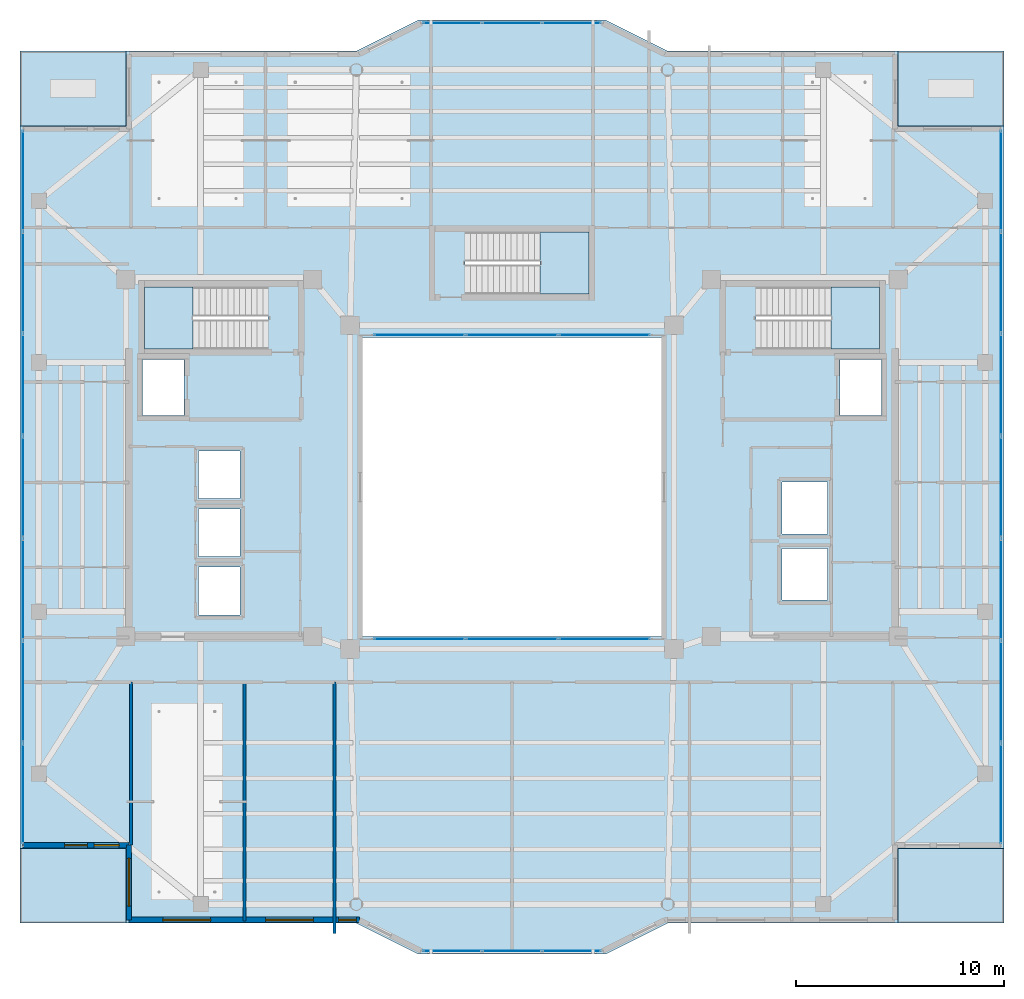
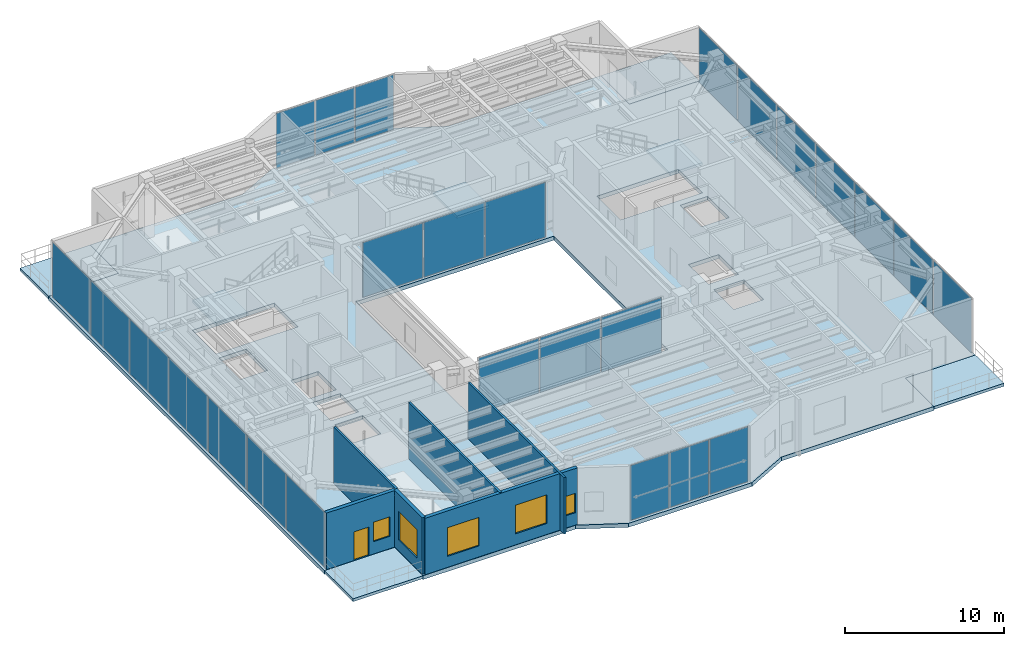
# One storey, part 22 of 34: 26 plates, 8 slabs, 6 walls, 5 windows, 1 door, 6 openings, 9 elements without a shape of their own.
"""IFC4 building model written with IfcOpenShell, lengths in metres."""

from ifc_helpers import new_model, si_unit, direction, frame, frame_2d, origin, origin_2d, place, context, subcontext, project, spatial, polyline, rectangle, outline, extrude, material, layer, layer_set, type_object, element, fill, aggregate, save


model = new_model("IFC4")

# Units and contexts
model_context = context("Model", 3, precision=1e-05, world=origin(), true_north=direction((0.0, 1.0)))
body_context = subcontext(model_context, "Body", "Model", "MODEL_VIEW")
ifc_project = project(units=[si_unit("LENGTHUNIT", "METRE"), si_unit("AREAUNIT", "SQUARE_METRE"), si_unit("VOLUMEUNIT", "CUBIC_METRE"), si_unit("PLANEANGLEUNIT", "RADIAN"), si_unit("MASSUNIT", "GRAM", prefix="KILO")], contexts=[model_context])

# Site, building, storey
site_placement = place(None, origin())
site = spatial("IfcSite", under=ifc_project, at=site_placement, CompositionType="ELEMENT")
building_placement = place(site_placement, origin())
building = spatial("IfcBuilding", under=site, at=building_placement, Name="Tarnavaz Court Tower", CompositionType="ELEMENT")
storey_placement = place(building_placement, frame((0.0, 0.0, 231.75)))
storey = spatial("IfcBuildingStorey", under=building, at=storey_placement, Name="L63", CompositionType="ELEMENT", Elevation=231.75)

# Curtain wall, plates
ifc_material_1 = material(Name="Anodised Aluminium 6063-T6 and Solar Low-E Glazing", Category="aluminium")
ifc_layer_1 = layer(ifc_material_1, 0.139892578125)
ifc_layer_set_1 = layer_set([ifc_layer_1], Name="Anodised Aluminium 6063-T6 and Solar Low-E Glazing")
curtain_wall_type_1 = type_object("IfcCurtainWallType", Name="CW-SYS-04", PredefinedType="NOTDEFINED", material=ifc_layer_set_1)
curtain_wall_1_placement = place(storey_placement, origin())
curtain_wall_1 = element("IfcCurtainWall", 1, at=curtain_wall_1_placement, inside=storey, type_object=curtain_wall_type_1, Name="L63 Badgir Courtyard Curtain Wall S", PredefinedType="NOTDEFINED")
ifc_material_2 = material(Name="Double-Glazed Solar Low-E Glass", Category="glass")
ifc_layer_2 = layer(ifc_material_2, 0.028076171875)
ifc_layer_set_2 = layer_set([ifc_layer_2], Name="Double-Glazed Solar Low-E Glass")
plate_type = type_object("IfcPlateType", Name="CW-PAN-GLZ28", PredefinedType="CURTAIN_PANEL", material=ifc_layer_set_2)
plate_1_placement = place(storey_placement, frame((-4.461181640625, -7.320068359375, 0.06494140625), z_axis=(0.0, 0.0, 1.0), x_axis=(1.0, 0.0, 0.0)))
plate_1 = element("IfcPlate", 2, at=plate_1_placement, type_object=plate_type, Name="CW panel 1.1", PredefinedType="CURTAIN_PANEL", context=body_context, shape_type="SweptSolid", body=[
    extrude(rectangle(XDim=4.367431640625, YDim=0.028076171875, at=origin_2d()), origin(), (0.0, 0.0, 1.0), 4.219970703125),
])
plate_2_placement = place(storey_placement, frame((0.0, -7.320068359375, 0.06494140625), z_axis=(0.0, 0.0, 1.0), x_axis=(1.0, 0.0, 0.0)))
plate_2 = element("IfcPlate", 3, at=plate_2_placement, type_object=plate_type, Name="CW panel 2.1", PredefinedType="CURTAIN_PANEL", context=body_context, shape_type="SweptSolid", body=[
    extrude(rectangle(XDim=4.405029296875, YDim=0.028076171875, at=origin_2d()), origin(), (0.0, 0.0, 1.0), 4.219970703125),
])
plate_3_placement = place(storey_placement, frame((4.461181640625, -7.320068359375, 0.06494140625), z_axis=(0.0, 0.0, 1.0), x_axis=(1.0, 0.0, 0.0)))
plate_3 = element("IfcPlate", 4, at=plate_3_placement, type_object=plate_type, Name="CW panel 3.1", PredefinedType="CURTAIN_PANEL", context=body_context, shape_type="SweptSolid", body=[
    extrude(rectangle(XDim=4.367431640625, YDim=0.028076171875, at=origin_2d()), origin(), (0.0, 0.0, 1.0), 4.219970703125),
])
aggregate(curtain_wall_1, [plate_1, plate_2, plate_3])

curtain_wall_2_placement = place(storey_placement, origin())
curtain_wall_2 = element("IfcCurtainWall", 5, at=curtain_wall_2_placement, inside=storey, type_object=curtain_wall_type_1, Name="L63 Badgir Courtyard Curtain Wall N", PredefinedType="NOTDEFINED")
plate_4_placement = place(storey_placement, frame((4.461181640625, 7.320068359375, 0.06494140625), z_axis=(0.0, 0.0, 1.0), x_axis=(-1.0, 0.0, 0.0)))
plate_4 = element("IfcPlate", 6, at=plate_4_placement, type_object=plate_type, Name="CW panel 1.1", PredefinedType="CURTAIN_PANEL", context=body_context, shape_type="SweptSolid", body=[
    extrude(rectangle(XDim=4.367431640625, YDim=0.028076171875, at=origin_2d()), origin(), (0.0, 0.0, 1.0), 4.219970703125),
])
plate_5_placement = place(storey_placement, frame((0.0, 7.320068359375, 0.06494140625), z_axis=(0.0, 0.0, 1.0), x_axis=(-1.0, 0.0, 0.0)))
plate_5 = element("IfcPlate", 7, at=plate_5_placement, type_object=plate_type, Name="CW panel 2.1", PredefinedType="CURTAIN_PANEL", context=body_context, shape_type="SweptSolid", body=[
    extrude(rectangle(XDim=4.405029296875, YDim=0.028076171875, at=origin_2d()), origin(), (0.0, 0.0, 1.0), 4.219970703125),
])
plate_6_placement = place(storey_placement, frame((-4.461181640625, 7.320068359375, 0.06494140625), z_axis=(0.0, 0.0, 1.0), x_axis=(-1.0, 0.0, 0.0)))
plate_6 = element("IfcPlate", 8, at=plate_6_placement, type_object=plate_type, Name="CW panel 3.1", PredefinedType="CURTAIN_PANEL", context=body_context, shape_type="SweptSolid", body=[
    extrude(rectangle(XDim=4.367431640625, YDim=0.028076171875, at=origin_2d()), origin(), (0.0, 0.0, 1.0), 4.219970703125),
])
aggregate(curtain_wall_2, [plate_4, plate_5, plate_6])

ifc_layer_3 = layer(ifc_material_1, 0.199951171875)
ifc_layer_set_3 = layer_set([ifc_layer_3], Name="Anodised Aluminium 6063-T6 and Solar Low-E Glazing")
curtain_wall_type_2 = type_object("IfcCurtainWallType", Name="CW-SYS-05", PredefinedType="NOTDEFINED", material=ifc_layer_set_3)
curtain_wall_3_placement = place(storey_placement, origin())
curtain_wall_3 = element("IfcCurtainWall", 9, at=curtain_wall_3_placement, inside=storey, type_object=curtain_wall_type_2, Name="L63 Sky-Portal Curtain Wall 2", PredefinedType="NOTDEFINED")
plate_7_placement = place(storey_placement, frame((-23.550048828125, -14.764404296875, 0.06494140625), z_axis=(0.0, 0.0, 1.0), x_axis=(0.0, 1.0, 0.0)))
plate_7 = element("IfcPlate", 10, at=plate_7_placement, type_object=plate_type, Name="CW panel 1.1", PredefinedType="CURTAIN_PANEL", context=body_context, shape_type="SweptSolid", body=[
    extrude(rectangle(XDim=4.801025390625, YDim=0.028076171875, at=origin_2d()), origin(), (0.0, 0.0, 1.0), 4.219970703125),
])
plate_8_placement = place(storey_placement, frame((-23.550048828125, -9.857177734375, 0.06494140625), z_axis=(0.0, 0.0, 1.0), x_axis=(0.0, 1.0, 0.0)))
plate_8 = element("IfcPlate", 11, at=plate_8_placement, type_object=plate_type, Name="CW panel 2.1", PredefinedType="CURTAIN_PANEL", context=body_context, shape_type="SweptSolid", body=[
    extrude(rectangle(XDim=4.843505859375, YDim=0.028076171875, at=origin_2d()), origin(), (0.0, 0.0, 1.0), 4.219970703125),
])
plate_9_placement = place(storey_placement, frame((-23.550048828125, -4.928466796875, 0.06494140625), z_axis=(0.0, 0.0, 1.0), x_axis=(0.0, 1.0, 0.0)))
plate_9 = element("IfcPlate", 12, at=plate_9_placement, type_object=plate_type, Name="CW panel 3.1", PredefinedType="CURTAIN_PANEL", context=body_context, shape_type="SweptSolid", body=[
    extrude(rectangle(XDim=4.843505859375, YDim=0.028076171875, at=origin_2d()), origin(), (0.0, 0.0, 1.0), 4.219970703125),
])
plate_10_placement = place(storey_placement, frame((-23.550048828125, 0.0, 0.06494140625), z_axis=(0.0, 0.0, 1.0), x_axis=(0.0, 1.0, 0.0)))
plate_10 = element("IfcPlate", 13, at=plate_10_placement, type_object=plate_type, Name="CW panel 4.1", PredefinedType="CURTAIN_PANEL", context=body_context, shape_type="SweptSolid", body=[
    extrude(rectangle(XDim=4.843505859375, YDim=0.028076171875, at=origin_2d()), origin(), (0.0, 0.0, 1.0), 4.219970703125),
])
plate_11_placement = place(storey_placement, frame((-23.550048828125, 4.928466796875, 0.06494140625), z_axis=(0.0, 0.0, 1.0), x_axis=(0.0, 1.0, 0.0)))
plate_11 = element("IfcPlate", 14, at=plate_11_placement, type_object=plate_type, Name="CW panel 5.1", PredefinedType="CURTAIN_PANEL", context=body_context, shape_type="SweptSolid", body=[
    extrude(rectangle(XDim=4.843505859375, YDim=0.028076171875, at=origin_2d()), origin(), (0.0, 0.0, 1.0), 4.219970703125),
])
plate_12_placement = place(storey_placement, frame((-23.550048828125, 9.857177734375, 0.06494140625), z_axis=(0.0, 0.0, 1.0), x_axis=(0.0, 1.0, 0.0)))
plate_12 = element("IfcPlate", 15, at=plate_12_placement, type_object=plate_type, Name="CW panel 6.1", PredefinedType="CURTAIN_PANEL", context=body_context, shape_type="SweptSolid", body=[
    extrude(rectangle(XDim=4.843505859375, YDim=0.028076171875, at=origin_2d()), origin(), (0.0, 0.0, 1.0), 4.219970703125),
])
plate_13_placement = place(storey_placement, frame((-23.550048828125, 14.764404296875, 0.06494140625), z_axis=(0.0, 0.0, 1.0), x_axis=(0.0, 1.0, 0.0)))
plate_13 = element("IfcPlate", 16, at=plate_13_placement, type_object=plate_type, Name="CW panel 7.1", PredefinedType="CURTAIN_PANEL", context=body_context, shape_type="SweptSolid", body=[
    extrude(rectangle(XDim=4.801025390625, YDim=0.028076171875, at=origin_2d()), origin(), (0.0, 0.0, 1.0), 4.219970703125),
])
aggregate(curtain_wall_3, [plate_7, plate_8, plate_9, plate_10, plate_11, plate_12, plate_13])

ifc_layer_4 = layer(ifc_material_1, 0.159912109375)
ifc_layer_set_4 = layer_set([ifc_layer_4], Name="Anodised Aluminium 6063-T6 and Solar Low-E Glazing")
curtain_wall_type_3 = type_object("IfcCurtainWallType", Name="CW-SYS-03", PredefinedType="NOTDEFINED", material=ifc_layer_set_4)
curtain_wall_4_placement = place(storey_placement, origin())
curtain_wall_4 = element("IfcCurtainWall", 17, at=curtain_wall_4_placement, inside=storey, type_object=curtain_wall_type_3, Name="L63 Iwan Prow Curtain Wall 7", PredefinedType="NOTDEFINED")
plate_14_placement = place(storey_placement, frame((-2.88134765625, 22.35009765625, 0.06494140625), z_axis=(0.0, 0.0, 1.0), x_axis=(1.0, 0.0, 0.0)))
plate_14 = element("IfcPlate", 18, at=plate_14_placement, type_object=plate_type, Name="CW panel 1.1", PredefinedType="CURTAIN_PANEL", context=body_context, shape_type="SweptSolid", body=[
    extrude(rectangle(XDim=2.78759765625, YDim=0.028076171875, at=origin_2d()), origin(), (0.0, 0.0, 1.0), 4.219970703125),
])
plate_15_placement = place(storey_placement, frame((0.0, 22.35009765625, 0.06494140625), z_axis=(0.0, 0.0, 1.0), x_axis=(1.0, 0.0, 0.0)))
plate_15 = element("IfcPlate", 19, at=plate_15_placement, type_object=plate_type, Name="CW panel 2.1", PredefinedType="CURTAIN_PANEL", context=body_context, shape_type="SweptSolid", body=[
    extrude(rectangle(XDim=2.824951171875, YDim=0.028076171875, at=origin_2d()), origin(), (0.0, 0.0, 1.0), 4.219970703125),
])
plate_16_placement = place(storey_placement, frame((2.88134765625, 22.35009765625, 0.06494140625), z_axis=(0.0, 0.0, 1.0), x_axis=(1.0, 0.0, 0.0)))
plate_16 = element("IfcPlate", 20, at=plate_16_placement, type_object=plate_type, Name="CW panel 3.1", PredefinedType="CURTAIN_PANEL", context=body_context, shape_type="SweptSolid", body=[
    extrude(rectangle(XDim=2.78759765625, YDim=0.028076171875, at=origin_2d()), origin(), (0.0, 0.0, 1.0), 4.219970703125),
])
aggregate(curtain_wall_4, [plate_14, plate_15, plate_16])

curtain_wall_5_placement = place(storey_placement, origin())
curtain_wall_5 = element("IfcCurtainWall", 21, at=curtain_wall_5_placement, inside=storey, type_object=curtain_wall_type_2, Name="L63 Sky-Portal Curtain Wall 12", PredefinedType="NOTDEFINED")
plate_17_placement = place(storey_placement, frame((23.550048828125, 14.764404296875, 0.06494140625), z_axis=(0.0, 0.0, 1.0), x_axis=(0.0, -1.0, 0.0)))
plate_17 = element("IfcPlate", 22, at=plate_17_placement, type_object=plate_type, Name="CW panel 1.1", PredefinedType="CURTAIN_PANEL", context=body_context, shape_type="SweptSolid", body=[
    extrude(rectangle(XDim=4.801025390625, YDim=0.028076171875, at=origin_2d()), origin(), (0.0, 0.0, 1.0), 4.219970703125),
])
plate_18_placement = place(storey_placement, frame((23.550048828125, 9.857177734375, 0.06494140625), z_axis=(0.0, 0.0, 1.0), x_axis=(0.0, -1.0, 0.0)))
plate_18 = element("IfcPlate", 23, at=plate_18_placement, type_object=plate_type, Name="CW panel 2.1", PredefinedType="CURTAIN_PANEL", context=body_context, shape_type="SweptSolid", body=[
    extrude(rectangle(XDim=4.843505859375, YDim=0.028076171875, at=origin_2d()), origin(), (0.0, 0.0, 1.0), 4.219970703125),
])
plate_19_placement = place(storey_placement, frame((23.550048828125, 4.928466796875, 0.06494140625), z_axis=(0.0, 0.0, 1.0), x_axis=(0.0, -1.0, 0.0)))
plate_19 = element("IfcPlate", 24, at=plate_19_placement, type_object=plate_type, Name="CW panel 3.1", PredefinedType="CURTAIN_PANEL", context=body_context, shape_type="SweptSolid", body=[
    extrude(rectangle(XDim=4.843505859375, YDim=0.028076171875, at=origin_2d()), origin(), (0.0, 0.0, 1.0), 4.219970703125),
])
plate_20_placement = place(storey_placement, frame((23.550048828125, 0.0, 0.06494140625), z_axis=(0.0, 0.0, 1.0), x_axis=(0.0, -1.0, 0.0)))
plate_20 = element("IfcPlate", 25, at=plate_20_placement, type_object=plate_type, Name="CW panel 4.1", PredefinedType="CURTAIN_PANEL", context=body_context, shape_type="SweptSolid", body=[
    extrude(rectangle(XDim=4.843505859375, YDim=0.028076171875, at=origin_2d()), origin(), (0.0, 0.0, 1.0), 4.219970703125),
])
plate_21_placement = place(storey_placement, frame((23.550048828125, -4.928466796875, 0.06494140625), z_axis=(0.0, 0.0, 1.0), x_axis=(0.0, -1.0, 0.0)))
plate_21 = element("IfcPlate", 26, at=plate_21_placement, type_object=plate_type, Name="CW panel 5.1", PredefinedType="CURTAIN_PANEL", context=body_context, shape_type="SweptSolid", body=[
    extrude(rectangle(XDim=4.843505859375, YDim=0.028076171875, at=origin_2d()), origin(), (0.0, 0.0, 1.0), 4.219970703125),
])
plate_22_placement = place(storey_placement, frame((23.550048828125, -9.857177734375, 0.06494140625), z_axis=(0.0, 0.0, 1.0), x_axis=(0.0, -1.0, 0.0)))
plate_22 = element("IfcPlate", 27, at=plate_22_placement, type_object=plate_type, Name="CW panel 6.1", PredefinedType="CURTAIN_PANEL", context=body_context, shape_type="SweptSolid", body=[
    extrude(rectangle(XDim=4.843505859375, YDim=0.028076171875, at=origin_2d()), origin(), (0.0, 0.0, 1.0), 4.219970703125),
])
plate_23_placement = place(storey_placement, frame((23.550048828125, -14.764404296875, 0.06494140625), z_axis=(0.0, 0.0, 1.0), x_axis=(0.0, -1.0, 0.0)))
plate_23 = element("IfcPlate", 28, at=plate_23_placement, type_object=plate_type, Name="CW panel 7.1", PredefinedType="CURTAIN_PANEL", context=body_context, shape_type="SweptSolid", body=[
    extrude(rectangle(XDim=4.801025390625, YDim=0.028076171875, at=origin_2d()), origin(), (0.0, 0.0, 1.0), 4.219970703125),
])
aggregate(curtain_wall_5, [plate_17, plate_18, plate_19, plate_20, plate_21, plate_22, plate_23])

curtain_wall_6_placement = place(storey_placement, origin())
curtain_wall_6 = element("IfcCurtainWall", 29, at=curtain_wall_6_placement, inside=storey, type_object=curtain_wall_type_3, Name="L63 Iwan Prow Curtain Wall 17", PredefinedType="NOTDEFINED")
plate_24_placement = place(storey_placement, frame((2.88134765625, -22.35009765625, 0.06494140625), z_axis=(0.0, 0.0, 1.0), x_axis=(-1.0, 0.0, 0.0)))
plate_24 = element("IfcPlate", 30, at=plate_24_placement, type_object=plate_type, Name="CW panel 1.1", PredefinedType="CURTAIN_PANEL", context=body_context, shape_type="SweptSolid", body=[
    extrude(rectangle(XDim=2.78759765625, YDim=0.028076171875, at=origin_2d()), origin(), (0.0, 0.0, 1.0), 4.219970703125),
])
plate_25_placement = place(storey_placement, frame((0.0, -22.35009765625, 0.06494140625), z_axis=(0.0, 0.0, 1.0), x_axis=(-1.0, 0.0, 0.0)))
plate_25 = element("IfcPlate", 31, at=plate_25_placement, type_object=plate_type, Name="CW panel 2.1", PredefinedType="CURTAIN_PANEL", context=body_context, shape_type="SweptSolid", body=[
    extrude(rectangle(XDim=2.824951171875, YDim=0.028076171875, at=origin_2d()), origin(), (0.0, 0.0, 1.0), 4.219970703125),
])
plate_26_placement = place(storey_placement, frame((-2.88134765625, -22.35009765625, 0.06494140625), z_axis=(0.0, 0.0, 1.0), x_axis=(-1.0, 0.0, 0.0)))
plate_26 = element("IfcPlate", 32, at=plate_26_placement, type_object=plate_type, Name="CW panel 3.1", PredefinedType="CURTAIN_PANEL", context=body_context, shape_type="SweptSolid", body=[
    extrude(rectangle(XDim=2.78759765625, YDim=0.028076171875, at=origin_2d()), origin(), (0.0, 0.0, 1.0), 4.219970703125),
])
aggregate(curtain_wall_6, [plate_24, plate_25, plate_26])

# Stair, slab
ifc_material_3 = material(Name="Concrete C40/50", Category="concrete")
stair_type = type_object("IfcStairType", Name="ST-TWR-28R", PredefinedType="HALF_TURN_STAIR", material=ifc_material_3)
stair_1_placement = place(storey_placement, origin())
stair_1 = element("IfcStair", 33, at=stair_1_placement, inside=storey, type_object=stair_type, Name="L63 West Core Pressurized Exit Stair ST-W1", PredefinedType="HALF_TURN_STAIR")
ifc_layer_5 = layer(ifc_material_3, 0.199951171875)
ifc_layer_set_5 = layer_set([ifc_layer_5], Name="Concrete C40/50")
slab_type_1 = type_object("IfcSlabType", Name="SL-LAND-200", PredefinedType="LANDING", material=ifc_layer_set_5)
slab_1_placement = place(storey_placement, frame((0.0, 0.0, 2.125)))
slab_1 = element("IfcSlab", 34, at=slab_1_placement, type_object=slab_type_1, Name="ST-W1 landing 1", PredefinedType="LANDING", context=body_context, shape_type="SweptSolid", body=[
    extrude(outline(polyline([(-15.360107421875, 9.639892578125), (-17.699951171875, 9.639892578125), (-17.699951171875, 6.64990234375), (-15.360107421875, 6.64990234375), (-15.360107421875, 9.639892578125)])), origin(), (0.0, 0.0, 1.0), 0.199951171875),
])
aggregate(stair_1, [slab_1])

stair_2_placement = place(storey_placement, origin())
stair_2 = element("IfcStair", 35, at=stair_2_placement, inside=storey, type_object=stair_type, Name="L63 East Core Pressurized Exit Stair ST-E1", PredefinedType="HALF_TURN_STAIR")
slab_2_placement = place(storey_placement, frame((0.0, 0.0, 2.125)))
slab_2 = element("IfcSlab", 36, at=slab_2_placement, type_object=slab_type_1, Name="ST-E1 landing 1", PredefinedType="LANDING", context=body_context, shape_type="SweptSolid", body=[
    extrude(outline(polyline([(15.360107421875, 6.64990234375), (17.699951171875, 6.64990234375), (17.699951171875, 9.639892578125), (15.360107421875, 9.639892578125), (15.360107421875, 6.64990234375)])), origin(), (0.0, 0.0, 1.0), 0.199951171875),
])
aggregate(stair_2, [slab_2])

stair_3_placement = place(storey_placement, origin())
stair_3 = element("IfcStair", 37, at=stair_3_placement, inside=storey, type_object=stair_type, Name="L63 North Ring Pressurized Exit Stair ST-N1", PredefinedType="HALF_TURN_STAIR")
slab_3_placement = place(storey_placement, frame((0.0, 0.0, 2.125)))
slab_3 = element("IfcSlab", 38, at=slab_3_placement, type_object=slab_type_1, Name="ST-N1 landing 1", PredefinedType="LANDING", context=body_context, shape_type="SweptSolid", body=[
    extrude(outline(polyline([(1.360107421875, 9.300048828125), (3.699951171875, 9.300048828125), (3.699951171875, 12.2900390625), (1.360107421875, 12.2900390625), (1.360107421875, 9.300048828125)])), origin(), (0.0, 0.0, 1.0), 0.199951171875),
])
aggregate(stair_3, [slab_3])

# Slabs
ifc_layer_6 = layer(ifc_material_3, 0.300048828125)
ifc_layer_set_6 = layer_set([ifc_layer_6], Name="Concrete C40/50")
slab_type_2 = type_object("IfcSlabType", Name="SL-POD-300", PredefinedType="FLOOR", material=ifc_layer_set_6)
slab_4_placement = place(storey_placement, frame((0.0, 0.0, -0.300048828125)))
element("IfcSlab", 39, at=slab_4_placement, inside=storey, type_object=slab_type_2, Name="L63 Structural Floor Slab", PredefinedType="FLOOR", context=body_context, shape_type="SweptSolid", body=[
    extrude(outline(polyline([(-18.60009765625, -21.0), (-7.5, -21.0), (-4.5, -22.5), (4.5, -22.5), (7.5, -21.0), (18.60009765625, -21.0), (18.60009765625, -17.39990234375), (23.699951171875, -17.39990234375), (23.699951171875, 17.39990234375), (18.60009765625, 17.39990234375), (18.60009765625, 21.0), (7.5, 21.0), (4.5, 22.5), (-4.5, 22.5), (-7.5, 21.0), (-18.60009765625, 21.0), (-18.60009765625, 17.39990234375), (-23.699951171875, 17.39990234375), (-23.699951171875, -17.39990234375), (-18.60009765625, -17.39990234375), (-18.60009765625, -21.0)]), holes=[polyline([(-7.199951171875, -7.199951171875), (7.199951171875, -7.199951171875), (7.199951171875, 7.199951171875), (-7.199951171875, 7.199951171875), (-7.199951171875, -7.199951171875)]), polyline([(-11.7451171875, 9.639892578125), (-17.699951171875, 9.639892578125), (-17.699951171875, 6.64990234375), (-11.7451171875, 6.64990234375), (-11.7451171875, 9.639892578125)]), polyline([(11.7451171875, 6.64990234375), (17.699951171875, 6.64990234375), (17.699951171875, 9.639892578125), (11.7451171875, 9.639892578125), (11.7451171875, 6.64990234375)]), polyline([(-2.2548828125, 9.300048828125), (3.699951171875, 9.300048828125), (3.699951171875, 12.2900390625), (-2.2548828125, 12.2900390625), (-2.2548828125, 9.300048828125)]), polyline([(-17.800048828125, 3.449951171875), (-15.800048828125, 3.449951171875), (-15.800048828125, 6.14990234375), (-17.800048828125, 6.14990234375), (-17.800048828125, 3.449951171875)]), polyline([(-15.10009765625, -6.14990234375), (-13.10009765625, -6.14990234375), (-13.10009765625, -3.85009765625), (-15.10009765625, -3.85009765625), (-15.10009765625, -6.14990234375)]), polyline([(-15.10009765625, -3.35009765625), (-13.10009765625, -3.35009765625), (-13.10009765625, -1.050048828125), (-15.10009765625, -1.050048828125), (-15.10009765625, -3.35009765625)]), polyline([(-15.10009765625, -0.550048828125), (-13.10009765625, -0.550048828125), (-13.10009765625, 1.75), (-15.10009765625, 1.75), (-15.10009765625, -0.550048828125)]), polyline([(15.800048828125, 3.449951171875), (17.800048828125, 3.449951171875), (17.800048828125, 6.14990234375), (15.800048828125, 6.14990234375), (15.800048828125, 3.449951171875)]), polyline([(13.0, -5.449951171875), (15.199951171875, -5.449951171875), (15.199951171875, -2.949951171875), (13.0, -2.949951171875), (13.0, -5.449951171875)]), polyline([(13.0, -2.25), (15.199951171875, -2.25), (15.199951171875, 0.25), (13.0, 0.25), (13.0, -2.25)])]), origin(), (0.0, 0.0, 1.0), 0.300048828125),
])
ifc_layer_7 = layer(ifc_material_3, 0.219970703125)
ifc_layer_set_7 = layer_set([ifc_layer_7], Name="Concrete C40/50")
slab_type_3 = type_object("IfcSlabType", Name="SL-TERR-220", PredefinedType="FLOOR", material=ifc_layer_set_7)
slab_5_placement = place(storey_placement, frame((0.0, 0.0, -0.219970703125)))
element("IfcSlab", 40, at=slab_5_placement, inside=storey, type_object=slab_type_3, Name="L63 NE Planted Sky Terrace", PredefinedType="FLOOR", context=body_context, shape_type="SweptSolid", body=[
    extrude(outline(polyline([(18.60009765625, 17.39990234375), (23.699951171875, 17.39990234375), (23.699951171875, 21.0), (18.60009765625, 21.0), (18.60009765625, 17.39990234375)])), origin(), (0.0, 0.0, 1.0), 0.219970703125),
])
slab_6_placement = place(storey_placement, frame((0.0, 0.0, -0.219970703125)))
element("IfcSlab", 41, at=slab_6_placement, inside=storey, type_object=slab_type_3, Name="L63 NW Planted Sky Terrace", PredefinedType="FLOOR", context=body_context, shape_type="SweptSolid", body=[
    extrude(outline(polyline([(-23.699951171875, 17.39990234375), (-18.60009765625, 17.39990234375), (-18.60009765625, 21.0), (-23.699951171875, 21.0), (-23.699951171875, 17.39990234375)])), origin(), (0.0, 0.0, 1.0), 0.219970703125),
])
slab_7_placement = place(storey_placement, frame((0.0, 0.0, -0.219970703125)))
element("IfcSlab", 42, at=slab_7_placement, inside=storey, type_object=slab_type_3, Name="L63 SE Planted Sky Terrace", PredefinedType="FLOOR", context=body_context, shape_type="SweptSolid", body=[
    extrude(outline(polyline([(18.60009765625, -21.0), (23.699951171875, -21.0), (23.699951171875, -17.39990234375), (18.60009765625, -17.39990234375), (18.60009765625, -21.0)])), origin(), (0.0, 0.0, 1.0), 0.219970703125),
])
slab_8_placement = place(storey_placement, frame((0.0, 0.0, -0.219970703125)))
element("IfcSlab", 43, at=slab_8_placement, inside=storey, type_object=slab_type_3, Name="L63 SW Planted Sky Terrace", PredefinedType="FLOOR", context=body_context, shape_type="SweptSolid", body=[
    extrude(outline(polyline([(-23.699951171875, -21.0), (-18.60009765625, -21.0), (-18.60009765625, -17.39990234375), (-23.699951171875, -17.39990234375), (-23.699951171875, -21.0)])), origin(), (0.0, 0.0, 1.0), 0.219970703125),
])

# Wall, openings, door, window
ifc_material_4 = material(Name="Precast Concrete C40/50", Category="concrete")
ifc_layer_8 = layer(ifc_material_4, 0.260009765625)
ifc_layer_set_8 = layer_set([ifc_layer_8], Name="Precast Concrete C40/50")
wall_type_1 = type_object("IfcWallType", Name="WL-EXT-260", PredefinedType="SOLIDWALL", material=ifc_layer_set_8)
wall_1_placement = place(storey_placement, frame((-18.449951171875, -17.25, 0.0), z_axis=(0.0, 0.0, 1.0), x_axis=(-1.0, 0.0, 0.0)))
wall_1 = element("IfcWall", 44, at=wall_1_placement, inside=storey, type_object=wall_type_1, Name="L63 Exterior Terracotta Facade Wall 01", PredefinedType="SOLIDWALL", context=body_context, shape_type="SweptSolid", body=[
    extrude(rectangle(XDim=5.10009765625, YDim=0.260009765625, at=frame_2d((2.550048828125, 0.0))), origin(), (0.0, 0.0, 1.0), 4.35009765625),
])
opening_1_placement = place(wall_1_placement, frame((2.0, 0.0, 0.0)))
opening_1 = element("IfcOpeningElement", 45, at=opening_1_placement, cuts=wall_1, Name="Opening TD1", PredefinedType="OPENING", context=body_context, shape_type="SweptSolid", body=[
    extrude(rectangle(XDim=1.10009765625, YDim=2.199951171875, at=frame_2d((0.550048828125, 1.10009765625))), frame((0.0, 0.139892578125, 0.0), z_axis=(0.0, -1.0, 0.0), x_axis=(1.0, 0.0, 0.0)), (0.0, 0.0, 1.0), 0.280029296875),
])
opening_2_placement = place(wall_1_placement, frame((0.47998046875, 0.0, 0.949951171875)))
opening_2 = element("IfcOpeningElement", 46, at=opening_2_placement, cuts=wall_1, Name="Opening W05", PredefinedType="OPENING", context=body_context, shape_type="SweptSolid", body=[
    extrude(rectangle(XDim=1.199951171875, YDim=1.5, at=frame_2d((0.60009765625, 0.75))), frame((0.0, 0.139892578125, 0.0), z_axis=(0.0, -1.0, 0.0), x_axis=(1.0, 0.0, 0.0)), (0.0, 0.0, 1.0), 0.280029296875),
])
ifc_material_5 = material(Name="Thermally Broken Aluminium and Laminated Glass", Category="aluminium")
door_type = type_object("IfcDoorType", Name="DR-TERR-1100", OperationType="NOTDEFINED", PredefinedType="DOOR", material=ifc_material_5)
door_placement = place(opening_1_placement, origin())
door = element("IfcDoor", 47, at=door_placement, inside=storey, type_object=door_type, Name="L63 Sky Terrace Access Door 4", OperationType="SINGLE_SWING_RIGHT", OverallHeight=2.199951171875, OverallWidth=1.10009765625, PredefinedType="DOOR", context=body_context, shape_type="SweptSolid", body=[
    extrude(rectangle(XDim=1.10009765625, YDim=2.199951171875, at=frame_2d((0.550048828125, 1.10009765625))), frame((0.0, 0.02490234375, 0.0), z_axis=(0.0, -1.0, 0.0), x_axis=(1.0, 0.0, 0.0)), (0.0, 0.0, 1.0), 0.050048828125),
])
fill(opening_1, door)
window_type_1 = type_object("IfcWindowType", Name="WN-APT-1200", PartitioningType="SINGLE_PANEL", PredefinedType="WINDOW", material=ifc_material_2)
window_1_placement = place(opening_2_placement, origin())
window_1 = element("IfcWindow", 48, at=window_1_placement, inside=storey, type_object=window_type_1, Name="L63 L63 SW Terrace Salon Window", OverallHeight=1.5, OverallWidth=1.199951171875, PartitioningType="SINGLE_PANEL", PredefinedType="WINDOW", context=body_context, shape_type="SweptSolid", body=[
    extrude(rectangle(XDim=1.199951171875, YDim=1.5, at=frame_2d((0.60009765625, 0.75))), frame((0.0, 0.030029296875, 0.0), z_axis=(0.0, -1.0, 0.0), x_axis=(1.0, 0.0, 0.0)), (0.0, 0.0, 1.0), 0.06005859375),
])
fill(opening_2, window_1)

# Wall, openings, windows
wall_2_placement = place(storey_placement, frame((-7.35009765625, -20.85009765625, 0.0), z_axis=(0.0, 0.0, 1.0), x_axis=(-1.0, 0.0, 0.0)))
wall_2 = element("IfcWall", 49, at=wall_2_placement, inside=storey, type_object=wall_type_1, Name="L63 Exterior Terracotta Facade Wall 19", PredefinedType="SOLIDWALL", context=body_context, shape_type="SweptSolid", body=[
    extrude(rectangle(XDim=11.099853515625, YDim=0.260009765625, at=frame_2d((5.5498046875, 0.0))), origin(), (0.0, 0.0, 1.0), 4.35009765625),
])
opening_3_placement = place(wall_2_placement, frame((0.1474609375, 0.0, 0.949951171875)))
opening_3 = element("IfcOpeningElement", 50, at=opening_3_placement, cuts=wall_2, Name="Opening W15", PredefinedType="OPENING", context=body_context, shape_type="SweptSolid", body=[
    extrude(rectangle(XDim=0.85009765625, YDim=1.5, at=frame_2d((0.425048828125, 0.75))), frame((0.0, 0.139892578125, 0.0), z_axis=(0.0, -1.0, 0.0), x_axis=(1.0, 0.0, 0.0)), (0.0, 0.0, 1.0), 0.280029296875),
])
opening_4_placement = place(wall_2_placement, frame((2.215087890625, 0.0, 0.85009765625)))
opening_4 = element("IfcOpeningElement", 51, at=opening_4_placement, cuts=wall_2, Name="Opening W12", PredefinedType="OPENING", context=body_context, shape_type="SweptSolid", body=[
    extrude(rectangle(XDim=2.300048828125, YDim=2.199951171875, at=frame_2d((1.14990234375, 1.10009765625))), frame((0.0, 0.139892578125, 0.0), z_axis=(0.0, -1.0, 0.0), x_axis=(1.0, 0.0, 0.0)), (0.0, 0.0, 1.0), 0.280029296875),
])
opening_5_placement = place(wall_2_placement, frame((7.162353515625, 0.0, 0.85009765625)))
opening_5 = element("IfcOpeningElement", 52, at=opening_5_placement, cuts=wall_2, Name="Opening W12", PredefinedType="OPENING", context=body_context, shape_type="SweptSolid", body=[
    extrude(rectangle(XDim=2.300048828125, YDim=2.199951171875, at=frame_2d((1.14990234375, 1.10009765625))), frame((0.0, 0.139892578125, 0.0), z_axis=(0.0, -1.0, 0.0), x_axis=(1.0, 0.0, 0.0)), (0.0, 0.0, 1.0), 0.280029296875),
])
window_type_2 = type_object("IfcWindowType", Name="WN-APT-850", PartitioningType="SINGLE_PANEL", PredefinedType="WINDOW", material=ifc_material_2)
window_2_placement = place(opening_3_placement, origin())
window_2 = element("IfcWindow", 53, at=window_2_placement, inside=storey, type_object=window_type_2, Name="L63 L63 South-West Cultural Classroom Window", OverallHeight=1.5, OverallWidth=0.85009765625, PartitioningType="SINGLE_PANEL", PredefinedType="WINDOW", context=body_context, shape_type="SweptSolid", body=[
    extrude(rectangle(XDim=0.85009765625, YDim=1.5, at=frame_2d((0.425048828125, 0.75))), frame((0.0, 0.030029296875, 0.0), z_axis=(0.0, -1.0, 0.0), x_axis=(1.0, 0.0, 0.0)), (0.0, 0.0, 1.0), 0.06005859375),
])
fill(opening_3, window_2)
window_type_3 = type_object("IfcWindowType", Name="WN-COM-2300", PartitioningType="DOUBLE_PANEL_VERTICAL", PredefinedType="WINDOW", material=ifc_material_2)
window_3_placement = place(opening_4_placement, origin())
window_3 = element("IfcWindow", 54, at=window_3_placement, inside=storey, type_object=window_type_3, Name="L63 L63 South-West Study Room Window", OverallHeight=2.199951171875, OverallWidth=2.300048828125, PartitioningType="SINGLE_PANEL", PredefinedType="WINDOW", context=body_context, shape_type="SweptSolid", body=[
    extrude(rectangle(XDim=2.300048828125, YDim=2.199951171875, at=frame_2d((1.14990234375, 1.10009765625))), frame((0.0, 0.030029296875, 0.0), z_axis=(0.0, -1.0, 0.0), x_axis=(1.0, 0.0, 0.0)), (0.0, 0.0, 1.0), 0.06005859375),
])
fill(opening_4, window_3)
window_4_placement = place(opening_5_placement, origin())
window_4 = element("IfcWindow", 55, at=window_4_placement, inside=storey, type_object=window_type_3, Name="L63 L63 Daycare Classroom Window", OverallHeight=2.199951171875, OverallWidth=2.300048828125, PartitioningType="SINGLE_PANEL", PredefinedType="WINDOW", context=body_context, shape_type="SweptSolid", body=[
    extrude(rectangle(XDim=2.300048828125, YDim=2.199951171875, at=frame_2d((1.14990234375, 1.10009765625))), frame((0.0, 0.030029296875, 0.0), z_axis=(0.0, -1.0, 0.0), x_axis=(1.0, 0.0, 0.0)), (0.0, 0.0, 1.0), 0.06005859375),
])
fill(opening_5, window_4)

# Wall, opening, window
wall_3_placement = place(storey_placement, frame((-18.449951171875, -20.85009765625, 0.0), z_axis=(0.0, 0.0, 1.0), x_axis=(0.0, 1.0, 0.0)))
wall_3 = element("IfcWall", 56, at=wall_3_placement, inside=storey, type_object=wall_type_1, Name="L63 Exterior Terracotta Facade Wall 20", PredefinedType="SOLIDWALL", context=body_context, shape_type="SweptSolid", body=[
    extrude(rectangle(XDim=3.60009765625, YDim=0.260009765625, at=frame_2d((1.800048828125, 0.0))), origin(), (0.0, 0.0, 1.0), 4.35009765625),
])
opening_6_placement = place(wall_3_placement, frame((0.66748046875, 0.0, 0.85009765625)))
opening_6 = element("IfcOpeningElement", 57, at=opening_6_placement, cuts=wall_3, Name="Opening W12", PredefinedType="OPENING", context=body_context, shape_type="SweptSolid", body=[
    extrude(rectangle(XDim=2.300048828125, YDim=2.199951171875, at=frame_2d((1.14990234375, 1.10009765625))), frame((0.0, 0.139892578125, 0.0), z_axis=(0.0, -1.0, 0.0), x_axis=(1.0, 0.0, 0.0)), (0.0, 0.0, 1.0), 0.280029296875),
])
window_5_placement = place(opening_6_placement, origin())
window_5 = element("IfcWindow", 58, at=window_5_placement, inside=storey, type_object=window_type_3, Name="L63 L63 Daycare Classroom Window", OverallHeight=2.199951171875, OverallWidth=2.300048828125, PartitioningType="SINGLE_PANEL", PredefinedType="WINDOW", context=body_context, shape_type="SweptSolid", body=[
    extrude(rectangle(XDim=2.300048828125, YDim=2.199951171875, at=frame_2d((1.14990234375, 1.10009765625))), frame((0.0, 0.030029296875, 0.0), z_axis=(0.0, -1.0, 0.0), x_axis=(1.0, 0.0, 0.0)), (0.0, 0.0, 1.0), 0.06005859375),
])
fill(opening_6, window_5)

# Walls
ifc_material_6 = material(Name="Gypsum Plasterboard Acoustic Partition", Category="masonry")
ifc_layer_9 = layer(ifc_material_6, 0.139892578125)
ifc_layer_set_9 = layer_set([ifc_layer_9], Name="Gypsum Plasterboard Acoustic Partition")
wall_type_2 = type_object("IfcWallType", Name="WL-PART-150", PredefinedType="PARTITIONING", material=ifc_layer_set_9)
wall_4_placement = place(storey_placement, frame((-12.889892578125, -20.89990234375, 0.0), z_axis=(0.0, 0.0, 1.0), x_axis=(0.0, 1.0, 0.0)))
element("IfcWall", 59, at=wall_4_placement, inside=storey, type_object=wall_type_2, Name="L63 Interior Partition 070", PredefinedType="PARTITIONING", context=body_context, shape_type="SweptSolid", body=[
    extrude(rectangle(XDim=11.5, YDim=0.139892578125, at=frame_2d((5.75, 0.0))), origin(), (0.0, 0.0, 1.0), 4.35009765625),
])
wall_5_placement = place(storey_placement, frame((-8.550048828125, -21.50390625, 0.0), z_axis=(0.0, 0.0, 1.0), x_axis=(0.0, 1.0, 0.0)))
element("IfcWall", 60, at=wall_5_placement, inside=storey, type_object=wall_type_2, Name="L63 Interior Partition 071", PredefinedType="PARTITIONING", context=body_context, shape_type="SweptSolid", body=[
    extrude(rectangle(XDim=12.10400390625, YDim=0.139892578125, at=frame_2d((6.052001953125, 0.0))), origin(), (0.0, 0.0, 1.0), 4.35009765625),
])
wall_6_placement = place(storey_placement, frame((-18.35009765625, -17.25, 0.0), z_axis=(0.0, 0.0, 1.0), x_axis=(0.0, 1.0, 0.0)))
element("IfcWall", 61, at=wall_6_placement, inside=storey, type_object=wall_type_2, Name="L63 Interior Partition 080", PredefinedType="PARTITIONING", context=body_context, shape_type="SweptSolid", body=[
    extrude(rectangle(XDim=7.85009765625, YDim=0.139892578125, at=frame_2d((3.925048828125, 0.0))), origin(), (0.0, 0.0, 1.0), 4.35009765625),
])

save(model, "model.ifc")
